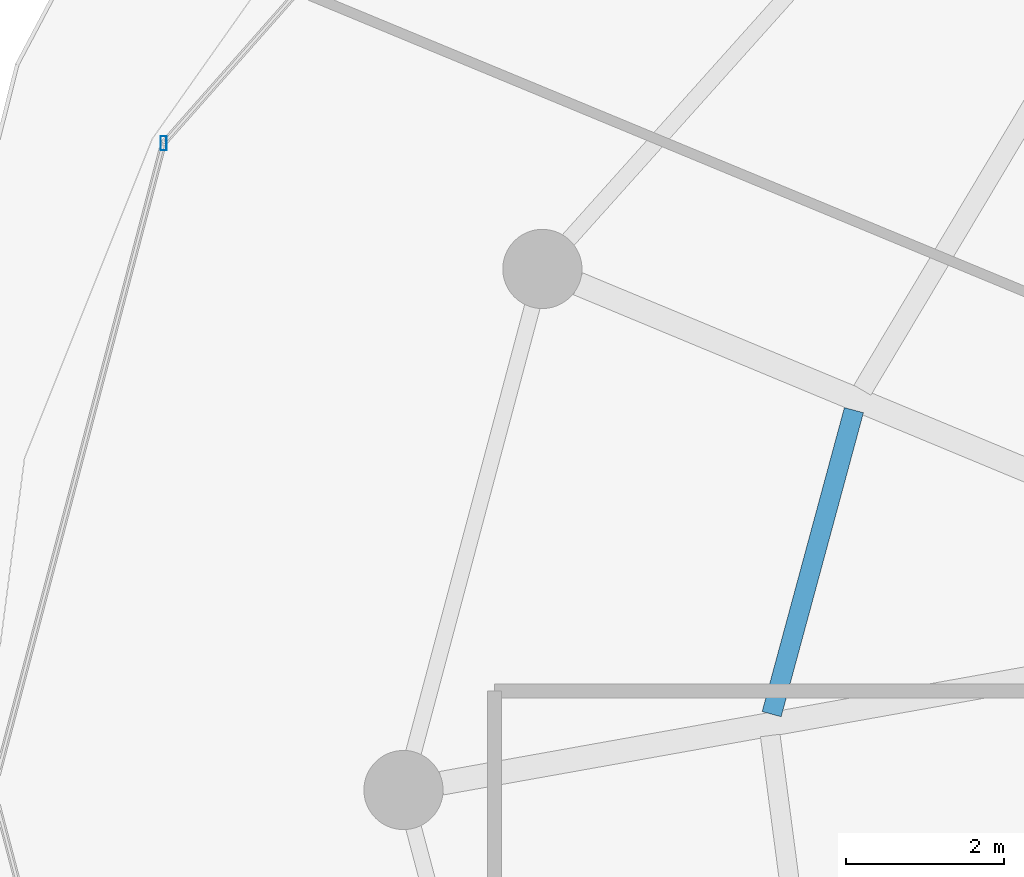
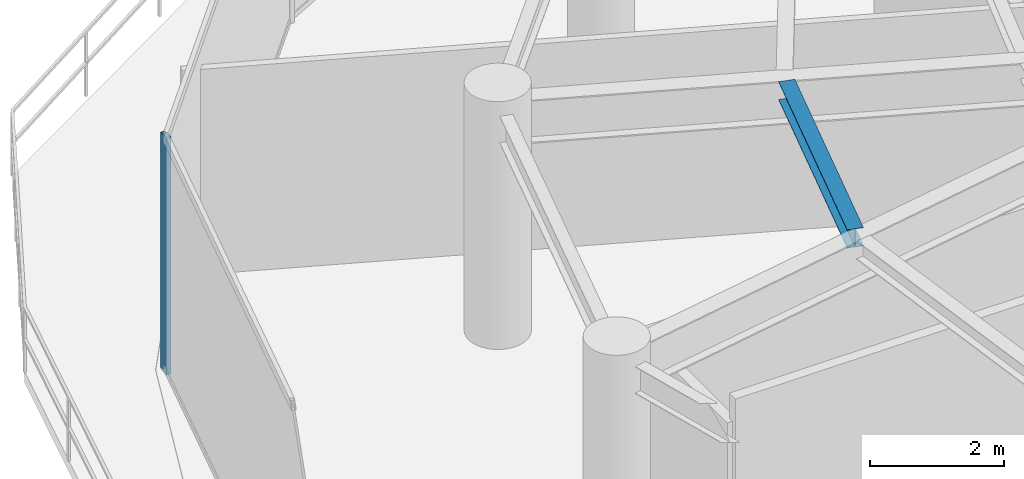
# One storey, part 9 of 31: 1 beam, 1 member, 1 element without a shape of its own.
"""IFC4 building model written with IfcOpenShell, lengths in metres."""

from ifc_helpers import new_model, si_unit, direction, frame, origin, origin_2d, place, context, subcontext, project, spatial, hollow_rectangle, i_section, extrude, material, material_profile, profile_set, type_object, element, aggregate, save


model = new_model("IFC4")

# Units and contexts
model_context = context("Model", 3, precision=1e-05, world=origin(), true_north=direction((0.0, 1.0)))
body_context = subcontext(model_context, "Body", "Model", "MODEL_VIEW")
ifc_project = project(units=[si_unit("LENGTHUNIT", "METRE"), si_unit("AREAUNIT", "SQUARE_METRE"), si_unit("VOLUMEUNIT", "CUBIC_METRE"), si_unit("PLANEANGLEUNIT", "RADIAN"), si_unit("MASSUNIT", "GRAM", prefix="KILO")], contexts=[model_context])

# Site, building, storey
site_placement = place(None, origin())
site = spatial("IfcSite", under=ifc_project, at=site_placement, CompositionType="ELEMENT")
building_placement = place(site_placement, origin())
building = spatial("IfcBuilding", under=site, at=building_placement, Name="Vorneva Point Tower", CompositionType="ELEMENT")
storey_placement = place(building_placement, frame((0.0, 0.0, 174.60009765625)))
storey = spatial("IfcBuildingStorey", under=building, at=storey_placement, Name="L47", CompositionType="ELEMENT", Elevation=174.60009765625)

# Beam
ifc_material_1 = material(Name="Steel S355", Category="steel")
ifc_material_profile_1 = material_profile(ifc_material_1, i_section(OverallWidth=0.2490234375, OverallDepth=0.333984375, WebThickness=0.008056640625, FlangeThickness=0.010986328125, at=origin_2d()), Name="35Sh1")
ifc_profile_set_1 = profile_set([ifc_material_profile_1], Name="Steel S355")
beam_type = type_object("IfcBeamType", Name="BM-SEC-35Sh1", PredefinedType="BEAM", material=ifc_profile_set_1)
beam_placement = place(storey_placement, frame((20.64013671875, 30.798583984375, 4.072998046875), z_axis=(-0.261190338077, -0.96528731852, 0.0), x_axis=(0.96528731852, -0.261190338077, 0.0)))
element("IfcBeam", 1, at=beam_placement, inside=storey, type_object=beam_type, Name="L47 Secondary Floor Beam 1.08", PredefinedType="BEAM", context=body_context, shape_type="SweptSolid", body=[
    extrude(i_section(OverallWidth=0.2490234375, OverallDepth=0.333984375, WebThickness=0.008056640625, FlangeThickness=0.010986328125, at=origin_2d()), origin(), (0.0, 0.0, 1.0), 3.978271484375),
])

# Curtain wall, member
ifc_material_2 = material(Name="Pale anodised aluminium", Category="aluminium")
curtain_wall_type = type_object("IfcCurtainWallType", Name="CW-SKY-SYS", PredefinedType="NOTDEFINED", material=ifc_material_2)
curtain_wall_placement = place(storey_placement, origin())
curtain_wall = element("IfcCurtainWall", 2, at=curtain_wall_placement, inside=storey, type_object=curtain_wall_type, Name="L47 Unitised Curtain Wall CW-L47-R03", PredefinedType="NOTDEFINED")
ifc_material_profile_2 = material_profile(ifc_material_2, hollow_rectangle(XDim=0.074951171875, YDim=0.179931640625, WallThickness=0.00390625, at=origin_2d()), Name="AL-MUL 180x75x4")
ifc_profile_set_2 = profile_set([ifc_material_profile_2], Name="Pale anodised aluminium")
member_type = type_object("IfcMemberType", Name="CW-MUL-180", PredefinedType="MULLION", material=ifc_profile_set_2)
member_placement = place(storey_placement, frame((11.9189453125, 34.17041015625, -0.0400390625), z_axis=(0.0, 0.0, 1.0), x_axis=(1.0, 0.0, 0.0)))
member = element("IfcMember", 3, at=member_placement, type_object=member_type, Name="CW-L47-R03 Mullion 03", PredefinedType="MULLION", context=body_context, shape_type="SweptSolid", body=[
    extrude(hollow_rectangle(XDim=0.074951171875, YDim=0.179931640625, WallThickness=0.00390625, at=origin_2d()), origin(), (0.0, 0.0, 1.0), 4.31005859375),
])
aggregate(curtain_wall, [member])

save(model, "model.ifc")
